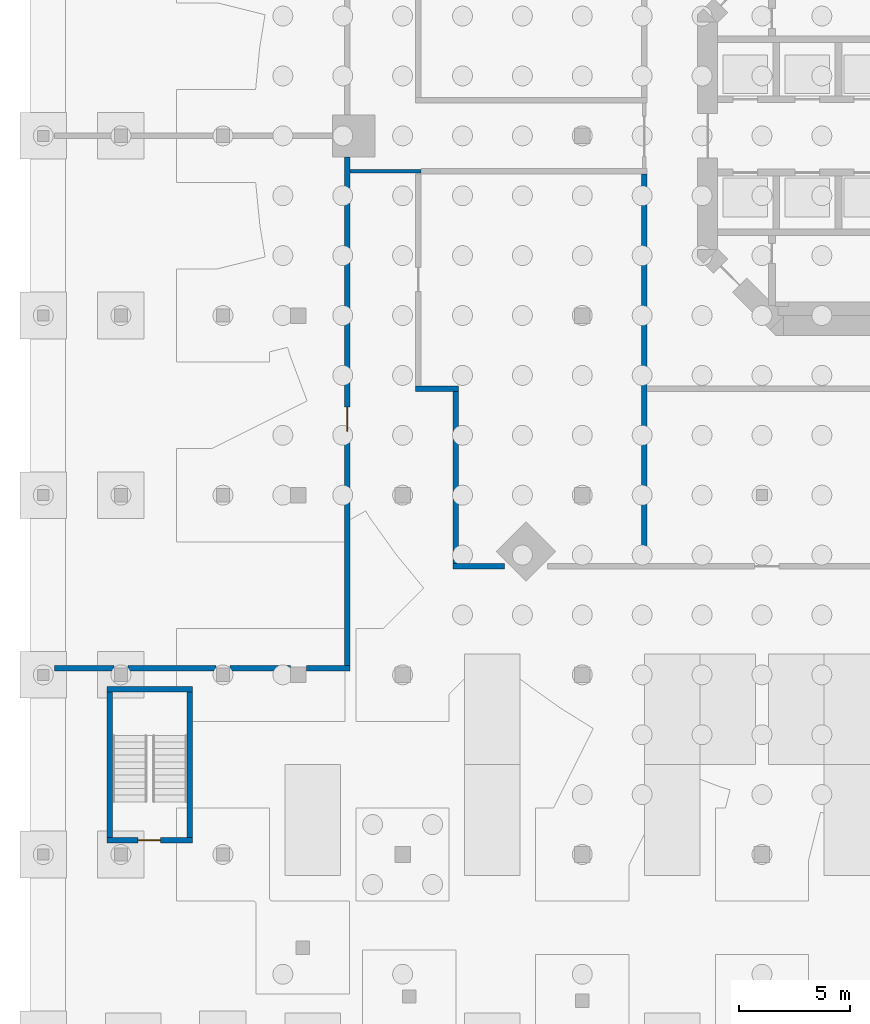
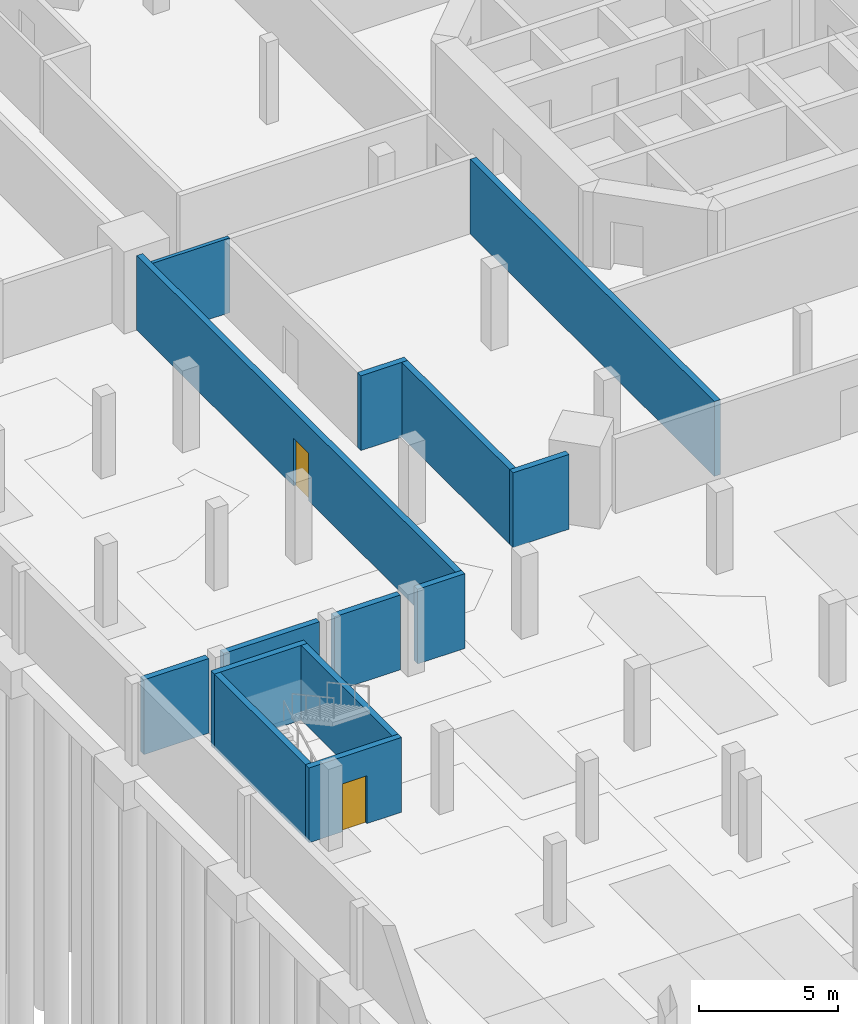
# One storey, part 11 of 23: 14 walls, 2 doors, 2 openings.
"""IFC4 building model written with IfcOpenShell, lengths in metres."""

from ifc_helpers import new_model, si_unit, direction, frame, frame_2d, origin, place, context, subcontext, project, spatial, rectangle, extrude, material, layer, layer_set, type_object, element, fill, save


model = new_model("IFC4")

# Units and contexts
model_context = context("Model", 3, precision=1e-05, world=origin(), true_north=direction((0.0, 1.0)))
body_context = subcontext(model_context, "Body", "Model", "MODEL_VIEW")
ifc_project = project(units=[si_unit("LENGTHUNIT", "METRE"), si_unit("AREAUNIT", "SQUARE_METRE"), si_unit("VOLUMEUNIT", "CUBIC_METRE"), si_unit("PLANEANGLEUNIT", "RADIAN"), si_unit("MASSUNIT", "GRAM", prefix="KILO")], contexts=[model_context])

# Site, building, storey
site_placement = place(None, origin())
site = spatial("IfcSite", under=ifc_project, at=site_placement, CompositionType="ELEMENT")
building_placement = place(site_placement, origin())
building = spatial("IfcBuilding", under=site, at=building_placement, Name="Torre Triforio", CompositionType="ELEMENT")
storey_placement = place(building_placement, frame((0.0, 0.0, -10.800048828125)))
storey = spatial("IfcBuildingStorey", under=building, at=storey_placement, Name="B3", CompositionType="ELEMENT", Elevation=-10.800048828125)

# Walls
ifc_material_1 = material(Name="Plasterboard on metal studs")
ifc_layer_1 = layer(ifc_material_1, 0.14990234375)
ifc_layer_set_1 = layer_set([ifc_layer_1], Name="Plasterboard on metal studs")
wall_type_1 = type_object("IfcWallType", Name="Corridor wall 150 EI 60", PredefinedType="PARTITIONING", material=ifc_layer_set_1)
wall_1_placement = place(storey_placement, frame((-26.675048828125, -1.60009765625, 0.0), z_axis=(0.0, 0.0, 1.0), x_axis=(1.0, 0.0, 0.0)))
element("IfcWall", 1, at=wall_1_placement, inside=storey, type_object=wall_type_1, Name="Corridor wall B3 025", PredefinedType="PARTITIONING", context=body_context, shape_type="SweptSolid", body=[
    extrude(rectangle(XDim=3.199951171875, YDim=0.14990234375, at=frame_2d((1.60009765625, 0.0))), origin(), (0.0, 0.0, 1.0), 3.280029296875),
])
ifc_material_2 = material(Name="Masonry block", Category="masonry")
ifc_layer_2 = layer(ifc_material_2, 0.25)
ifc_layer_set_2 = layer_set([ifc_layer_2], Name="Masonry block")
wall_type_2 = type_object("IfcWallType", Name="Plant room wall 250 EI 120", PredefinedType="PARTITIONING", material=ifc_layer_set_2)
wall_2_placement = place(storey_placement, frame((-40.0, -24.0, 0.0), z_axis=(0.0, 0.0, 1.0), x_axis=(1.0, 0.0, 0.0)))
element("IfcWall", 2, at=wall_2_placement, inside=storey, type_object=wall_type_2, Name="Plant room wall B3 031", PredefinedType="PARTITIONING", context=body_context, shape_type="SweptSolid", body=[
    extrude(rectangle(XDim=2.68994140625, YDim=0.25, at=frame_2d((1.344970703125, 0.0))), origin(), (0.0, 0.0, 1.0), 3.280029296875),
])
wall_3_placement = place(storey_placement, frame((-36.68994140625, -24.0, 0.0), z_axis=(0.0, 0.0, 1.0), x_axis=(1.0, 0.0, 0.0)))
element("IfcWall", 3, at=wall_3_placement, inside=storey, type_object=wall_type_2, Name="Plant room wall B3 032", PredefinedType="PARTITIONING", context=body_context, shape_type="SweptSolid", body=[
    extrude(rectangle(XDim=3.97998046875, YDim=0.25, at=frame_2d((1.989990234375, 0.0))), origin(), (0.0, 0.0, 1.0), 3.280029296875),
])
wall_4_placement = place(storey_placement, frame((-32.090087890625, -24.0, 0.0), z_axis=(0.0, 0.0, 1.0), x_axis=(1.0, 0.0, 0.0)))
element("IfcWall", 4, at=wall_4_placement, inside=storey, type_object=wall_type_2, Name="Plant room wall B3 033", PredefinedType="PARTITIONING", context=body_context, shape_type="SweptSolid", body=[
    extrude(rectangle(XDim=2.72998046875, YDim=0.25, at=frame_2d((1.364990234375, 0.0))), origin(), (0.0, 0.0, 1.0), 3.280029296875),
])
wall_5_placement = place(storey_placement, frame((-28.639892578125, -24.0, 0.0), z_axis=(0.0, 0.0, 1.0), x_axis=(1.0, 0.0, 0.0)))
element("IfcWall", 5, at=wall_5_placement, inside=storey, type_object=wall_type_2, Name="Plant room wall B3 034", PredefinedType="PARTITIONING", context=body_context, shape_type="SweptSolid", body=[
    extrude(rectangle(XDim=1.96484375, YDim=0.25, at=frame_2d((0.982421875, 0.0))), origin(), (0.0, 0.0, 1.0), 3.280029296875),
])

# Wall, opening, door
wall_6_placement = place(storey_placement, frame((-26.800048828125, -23.875, 0.0), z_axis=(0.0, 0.0, 1.0), x_axis=(0.0, 1.0, 0.0)))
wall_6 = element("IfcWall", 6, at=wall_6_placement, inside=storey, type_object=wall_type_2, Name="Plant room wall B3 035", PredefinedType="PARTITIONING", context=body_context, shape_type="SweptSolid", body=[
    extrude(rectangle(XDim=22.9150390625, YDim=0.25, at=frame_2d((11.45751953125, 0.0))), origin(), (0.0, 0.0, 1.0), 3.280029296875),
])
opening_1_placement = place(wall_6_placement, frame((10.550048828125, 0.0, 0.0)))
opening_1 = element("IfcOpeningElement", 7, at=opening_1_placement, cuts=wall_6, Name="Opening BS3-15", PredefinedType="OPENING", context=body_context, shape_type="SweptSolid", body=[
    extrude(rectangle(XDim=1.10009765625, YDim=2.10009765625, at=frame_2d((0.550048828125, 1.050048828125))), frame((0.0, 0.135009765625, 0.0), z_axis=(0.0, -1.0, 0.0), x_axis=(1.0, 0.0, 0.0)), (0.0, 0.0, 1.0), 0.27001953125),
])
ifc_material_3 = material(Name="Hollow metal fire door leaf")
door_type_1 = type_object("IfcDoorType", Name="Plant room door 1100 x 2100 EI 60", OperationType="NOTDEFINED", PredefinedType="DOOR", material=ifc_material_3)
door_1_placement = place(opening_1_placement, origin())
door_1 = element("IfcDoor", 8, at=door_1_placement, inside=storey, type_object=door_type_1, Name="Door BS3-15", OperationType="SINGLE_SWING_LEFT", OverallHeight=2.10009765625, OverallWidth=1.10009765625, PredefinedType="DOOR", context=body_context, shape_type="SweptSolid", body=[
    extrude(rectangle(XDim=1.10009765625, YDim=2.10009765625, at=frame_2d((0.550048828125, 1.050048828125))), frame((0.0, 0.02490234375, 0.0), z_axis=(0.0, -1.0, 0.0), x_axis=(1.0, 0.0, 0.0)), (0.0, 0.0, 1.0), 0.050048828125),
])
fill(opening_1, door_1)

# Walls
wall_7_placement = place(storey_placement, frame((-22.02490234375, -19.39990234375, 0.0), z_axis=(0.0, 0.0, 1.0), x_axis=(1.0, 0.0, 0.0)))
element("IfcWall", 9, at=wall_7_placement, inside=storey, type_object=wall_type_2, Name="Plant room wall B3 044", PredefinedType="PARTITIONING", context=body_context, shape_type="SweptSolid", body=[
    extrude(rectangle(XDim=2.32666015625, YDim=0.25, at=frame_2d((1.163330078125, 0.0))), origin(), (0.0, 0.0, 1.0), 3.280029296875),
])
wall_8_placement = place(storey_placement, frame((-23.72509765625, -11.39990234375, 0.0), z_axis=(0.0, 0.0, 1.0), x_axis=(1.0, 0.0, 0.0)))
element("IfcWall", 10, at=wall_8_placement, inside=storey, type_object=wall_type_2, Name="Plant room wall B3 046", PredefinedType="PARTITIONING", context=body_context, shape_type="SweptSolid", body=[
    extrude(rectangle(XDim=1.9501953125, YDim=0.25, at=frame_2d((0.97509765625, 0.0))), origin(), (0.0, 0.0, 1.0), 3.280029296875),
])
wall_9_placement = place(storey_placement, frame((-21.89990234375, -19.27490234375, 0.0), z_axis=(0.0, 0.0, 1.0), x_axis=(0.0, 1.0, 0.0)))
element("IfcWall", 11, at=wall_9_placement, inside=storey, type_object=wall_type_2, Name="Plant room wall B3 048", PredefinedType="PARTITIONING", context=body_context, shape_type="SweptSolid", body=[
    extrude(rectangle(XDim=7.75, YDim=0.25, at=frame_2d((3.875, 0.0))), origin(), (0.0, 0.0, 1.0), 3.280029296875),
])
wall_10_placement = place(storey_placement, frame((-13.39990234375, -19.27490234375, 0.0), z_axis=(0.0, 0.0, 1.0), x_axis=(0.0, 1.0, 0.0)))
element("IfcWall", 12, at=wall_10_placement, inside=storey, type_object=wall_type_2, Name="Plant room wall B3 057", PredefinedType="PARTITIONING", context=body_context, shape_type="SweptSolid", body=[
    extrude(rectangle(XDim=17.5498046875, YDim=0.25, at=frame_2d((8.77490234375, 0.0))), origin(), (0.0, 0.0, 1.0), 3.280029296875),
])

# Wall, opening, door
ifc_material_4 = material(Name="Concrete C40", Category="concrete")
ifc_layer_3 = layer(ifc_material_4, 0.25)
ifc_layer_set_3 = layer_set([ifc_layer_3], Name="Concrete C40")
wall_type_3 = type_object("IfcWallType", Name="Stair enclosure wall 250 EI 120", PredefinedType="STANDARD", material=ifc_layer_set_3)
wall_11_placement = place(storey_placement, frame((-37.625, -31.75, 0.0), z_axis=(0.0, 0.0, 1.0), x_axis=(1.0, 0.0, 0.0)))
wall_11 = element("IfcWall", 13, at=wall_11_placement, inside=storey, type_object=wall_type_3, Name="Stair enclosure wall B3 001", PredefinedType="STANDARD", context=body_context, shape_type="SweptSolid", body=[
    extrude(rectangle(XDim=3.85009765625, YDim=0.25, at=frame_2d((1.925048828125, 0.0))), origin(), (0.0, 0.0, 1.0), 3.280029296875),
])
opening_2_placement = place(wall_11_placement, frame((1.39990234375, 0.0, 0.0)))
opening_2 = element("IfcOpeningElement", 14, at=opening_2_placement, cuts=wall_11, Name="Opening BS3-01", PredefinedType="OPENING", context=body_context, shape_type="SweptSolid", body=[
    extrude(rectangle(XDim=1.0, YDim=2.10009765625, at=frame_2d((0.5, 1.050048828125))), frame((0.0, 0.135009765625, 0.0), z_axis=(0.0, -1.0, 0.0), x_axis=(1.0, 0.0, 0.0)), (0.0, 0.0, 1.0), 0.27001953125),
])
door_type_2 = type_object("IfcDoorType", Name="Stair door 1000 x 2100 EI 90", OperationType="NOTDEFINED", PredefinedType="DOOR", material=ifc_material_3)
door_2_placement = place(opening_2_placement, origin())
door_2 = element("IfcDoor", 15, at=door_2_placement, inside=storey, type_object=door_type_2, Name="Door BS3-01", OperationType="SINGLE_SWING_LEFT", OverallHeight=2.10009765625, OverallWidth=1.0, PredefinedType="DOOR", context=body_context, shape_type="SweptSolid", body=[
    extrude(rectangle(XDim=1.0, YDim=2.10009765625, at=frame_2d((0.5, 1.050048828125))), frame((0.0, 0.02490234375, 0.0), z_axis=(0.0, -1.0, 0.0), x_axis=(1.0, 0.0, 0.0)), (0.0, 0.0, 1.0), 0.050048828125),
])
fill(opening_2, door_2)

# Walls
wall_12_placement = place(storey_placement, frame((-37.625, -24.949951171875, 0.0), z_axis=(0.0, 0.0, 1.0), x_axis=(1.0, 0.0, 0.0)))
element("IfcWall", 16, at=wall_12_placement, inside=storey, type_object=wall_type_3, Name="Stair enclosure wall B3 002", PredefinedType="STANDARD", context=body_context, shape_type="SweptSolid", body=[
    extrude(rectangle(XDim=3.85009765625, YDim=0.25, at=frame_2d((1.925048828125, 0.0))), origin(), (0.0, 0.0, 1.0), 3.280029296875),
])
for number, where, z_axis, x_axis, name in (
    (17, (-37.5, -31.625, 0.0), (0.0, 0.0, 1.0), (0.0, 1.0, 0.0), "Stair enclosure wall B3 003"),
    (18, (-33.89990234375, -31.625, 0.0), (0.0, 0.0, 1.0), (0.0, 1.0, 0.0), "Stair enclosure wall B3 004"),
):
    element("IfcWall", number, at=place(storey_placement, frame(where, z_axis=z_axis, x_axis=x_axis)), inside=storey, type_object=wall_type_3, Name=name, PredefinedType="STANDARD", context=body_context, shape_type="SweptSolid", body=[
        extrude(rectangle(XDim=6.550048828125, YDim=0.25, at=frame_2d((3.27490234375, 0.0))), origin(), (0.0, 0.0, 1.0), 3.280029296875),
    ])

save(model, "model.ifc")
